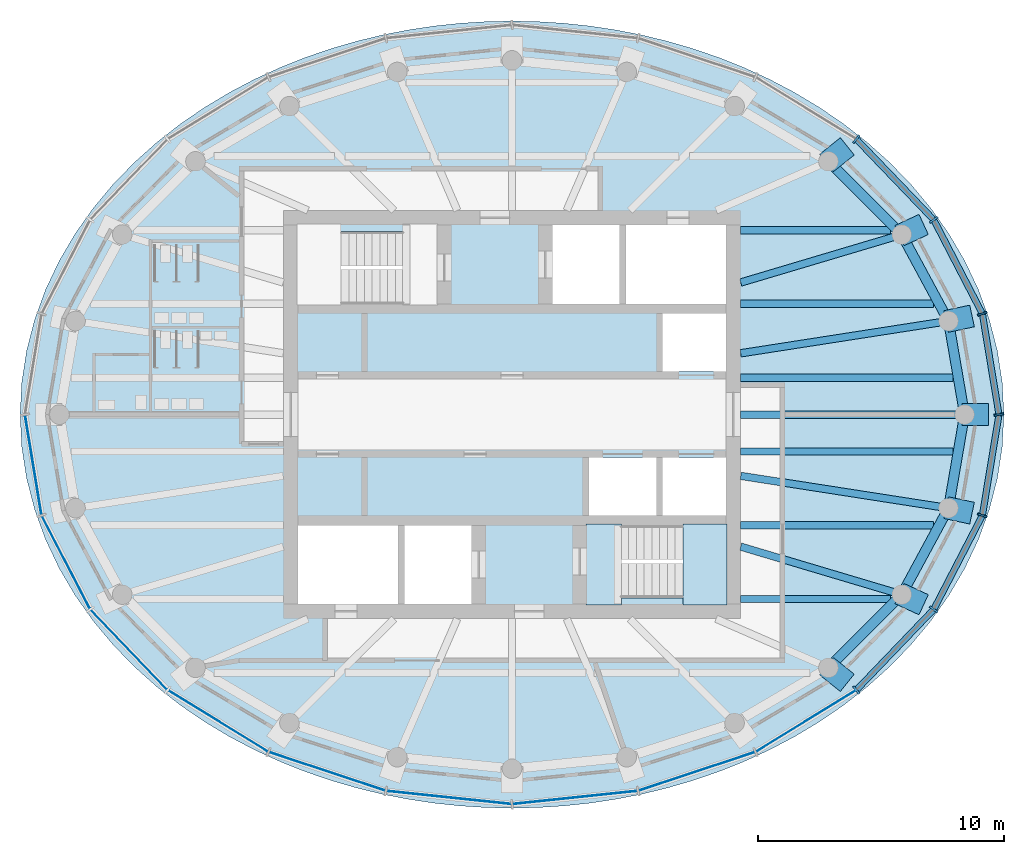
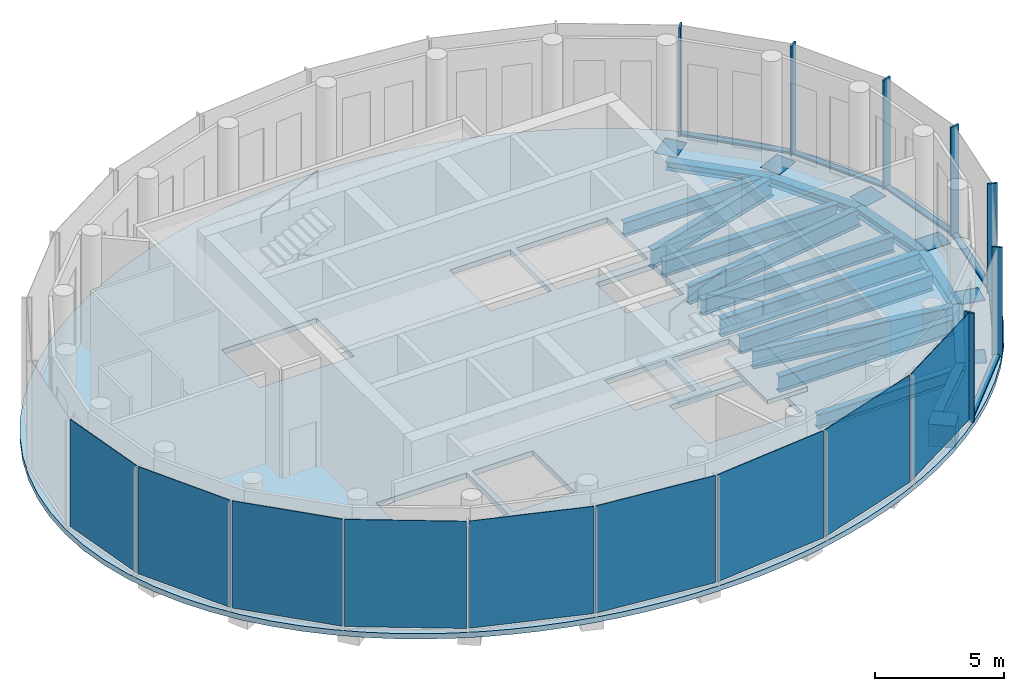
# One storey, part 3 of 11: 24 beams, 13 members, 9 plates, 3 slabs, 4 elements without a shape of their own.
"""IFC4 building model written with IfcOpenShell, lengths in metres."""

from ifc_helpers import new_model, si_unit, direction, frame, origin, origin_2d, place, context, subcontext, project, spatial, polyline, rectangle, i_section, outline, extrude, material, layer, layer_set, material_profile, profile_set, type_object, element, aggregate, save


model = new_model("IFC4")

# Units and contexts
model_context = context("Model", 3, precision=1e-05, world=origin(), true_north=direction((0.0, 1.0)))
body_context = subcontext(model_context, "Body", "Model", "MODEL_VIEW")
ifc_project = project(units=[si_unit("LENGTHUNIT", "METRE"), si_unit("AREAUNIT", "SQUARE_METRE"), si_unit("VOLUMEUNIT", "CUBIC_METRE"), si_unit("PLANEANGLEUNIT", "RADIAN"), si_unit("MASSUNIT", "GRAM", prefix="KILO")], contexts=[model_context])

# Site, building, storey
site_placement = place(None, origin())
site = spatial("IfcSite", under=ifc_project, at=site_placement, CompositionType="ELEMENT")
building_placement = place(site_placement, origin())
building = spatial("IfcBuilding", under=site, at=building_placement, Name="Hankou Lantern Tower", CompositionType="ELEMENT")
storey_placement = place(building_placement, frame((0.0, 0.0, 237.300048828125)))
storey = spatial("IfcBuildingStorey", under=building, at=storey_placement, Name="L64", CompositionType="ELEMENT", Elevation=237.300048828125)

# Beams
ifc_material_1 = material(Name="Steel Q355B", Category="steel")
ifc_material_profile_1 = material_profile(ifc_material_1, i_section(OverallWidth=0.39990234375, OverallDepth=0.39990234375, WebThickness=0.012939453125, FlangeThickness=0.02099609375, FilletRadius=0.02197265625, at=origin_2d()), Name="HW400x400x13x21")
ifc_profile_set_1 = profile_set([ifc_material_profile_1], Name="Steel Q355B")
beam_type_1 = type_object("IfcBeamType", Name="EB19 RING BEAM HW400x400x13x21", PredefinedType="SPANDREL", material=ifc_profile_set_1)
beam_1_placement = place(storey_placement, frame((18.39990234375, 0.0, -0.449951171875), z_axis=(-0.169320180804, 0.98556109723, 0.0), x_axis=(-0.98556109723, -0.169320180804, 0.0)))
element("IfcBeam", 1, at=beam_1_placement, inside=storey, type_object=beam_type_1, Name="Ring beam R01-R02 L64", PredefinedType="SPANDREL", context=body_context, shape_type="SweptSolid", body=[
    extrude(i_section(OverallWidth=0.39990234375, OverallDepth=0.39990234375, WebThickness=0.012939453125, FlangeThickness=0.02099609375, FilletRadius=0.02197265625, at=origin_2d()), origin(), (0.0, 0.0, 1.0), 3.85986328125),
])
beam_2_placement = place(storey_placement, frame((17.746337890625, 3.80419921875, -0.449951171875), z_axis=(-0.475556651725, 0.879685097634, 0.0), x_axis=(-0.879685097634, -0.475556651725, 0.0)))
element("IfcBeam", 2, at=beam_2_placement, inside=storey, type_object=beam_type_1, Name="Ring beam R02-R03 L64", PredefinedType="SPANDREL", context=body_context, shape_type="SweptSolid", body=[
    extrude(i_section(OverallWidth=0.39990234375, OverallDepth=0.39990234375, WebThickness=0.012939453125, FlangeThickness=0.02099609375, FilletRadius=0.02197265625, at=origin_2d()), origin(), (0.0, 0.0, 1.0), 3.99560546875),
])
for number, where, z_axis, x_axis, name in (
    (3, (15.84619140625, 7.319091796875, -0.449951171875), (-0.707657475865, 0.706555657293, 0.0), (-0.706555657293, -0.707657475865, 0.0), "Ring beam R03-R04 L64"),
    (4, (12.866943359375, -10.293701171875, -0.449951171875), (0.707657475865, 0.706555657293, 0.0), (-0.706555657293, 0.707657475865, 0.0), "Ring beam R22-R23 L64"),
):
    element("IfcBeam", number, at=place(storey_placement, frame(where, z_axis=z_axis, x_axis=x_axis)), inside=storey, type_object=beam_type_1, Name=name, PredefinedType="SPANDREL", context=body_context, shape_type="SweptSolid", body=[
        extrude(i_section(OverallWidth=0.39990234375, OverallDepth=0.39990234375, WebThickness=0.012939453125, FlangeThickness=0.02099609375, FilletRadius=0.02197265625, at=origin_2d()), origin(), (0.0, 0.0, 1.0), 4.2099609375),
    ])
beam_3_placement = place(storey_placement, frame((15.84619140625, -7.319091796875, -0.449951171875), z_axis=(0.475556651725, 0.879685097634, 0.0), x_axis=(-0.879685097634, 0.475556651725, 0.0)))
element("IfcBeam", 5, at=beam_3_placement, inside=storey, type_object=beam_type_1, Name="Ring beam R23-R24 L64", PredefinedType="SPANDREL", context=body_context, shape_type="SweptSolid", body=[
    extrude(i_section(OverallWidth=0.39990234375, OverallDepth=0.39990234375, WebThickness=0.012939453125, FlangeThickness=0.02099609375, FilletRadius=0.02197265625, at=origin_2d()), origin(), (0.0, 0.0, 1.0), 3.99560546875),
])
beam_4_placement = place(storey_placement, frame((17.746337890625, -3.80419921875, -0.449951171875), z_axis=(0.169320180804, 0.98556109723, 0.0), x_axis=(-0.98556109723, 0.169320180804, 0.0)))
element("IfcBeam", 6, at=beam_4_placement, inside=storey, type_object=beam_type_1, Name="Ring beam R24-R01 L64", PredefinedType="SPANDREL", context=body_context, shape_type="SweptSolid", body=[
    extrude(i_section(OverallWidth=0.39990234375, OverallDepth=0.39990234375, WebThickness=0.012939453125, FlangeThickness=0.02099609375, FilletRadius=0.02197265625, at=origin_2d()), origin(), (0.0, 0.0, 1.0), 3.85986328125),
])

# Curtain wall, members
ifc_material_2 = material(Name="Glass, dark grey tinted laminated", Category="glass")
curtain_wall_type = type_object("IfcCurtainWallType", Name="CWE OUTER SKIN CROWN", PredefinedType="USERDEFINED", material=ifc_material_2)
curtain_wall_1_placement = place(storey_placement, origin())
curtain_wall_1 = element("IfcCurtainWall", 7, at=curtain_wall_1_placement, inside=storey, type_object=curtain_wall_type, Name="CWE L64 OS1", ObjectType="OUTER SKIN CROWN", PredefinedType="USERDEFINED")
ifc_material_3 = material(Name="Aluminium, black anodised", Category="aluminium")
ifc_material_profile_2 = material_profile(ifc_material_3, rectangle(XDim=0.080078125, YDim=0.39990234375, at=origin_2d()), Name="MU3 80X400")
ifc_profile_set_2 = profile_set([ifc_material_profile_2], Name="Aluminium, black anodised")
member_type_1 = type_object("IfcMemberType", Name="MU3 OUTER SKIN TALL MULLION 80X400", PredefinedType="MULLION", material=ifc_profile_set_2)
member_1_placement = place(storey_placement, frame((19.800048828125, 0.0, 0.0), z_axis=(0.0, 0.0, 1.0), x_axis=(-0.162381515188, 0.986728049427, 0.0)))
member_1 = element("IfcMember", 8, at=member_1_placement, type_object=member_type_1, Name="CWE mullion 1", PredefinedType="MULLION", context=body_context, shape_type="SweptSolid", body=[
    extrude(rectangle(XDim=0.080078125, YDim=0.39990234375, at=origin_2d()), origin(), (0.0, 0.0, 1.0), 5.14990234375),
])
member_2_placement = place(storey_placement, frame((19.125244140625, 4.099609375, 0.0), z_axis=(0.0, 0.0, 1.0), x_axis=(-0.317595577365, 0.94822626479, 0.0)))
member_2 = element("IfcMember", 9, at=member_2_placement, type_object=member_type_1, Name="CWE mullion 2", PredefinedType="MULLION", context=body_context, shape_type="SweptSolid", body=[
    extrude(rectangle(XDim=0.080078125, YDim=0.39990234375, at=origin_2d()), origin(), (0.0, 0.0, 1.0), 5.14990234375),
])
member_3_placement = place(storey_placement, frame((17.147216796875, 7.919921875, 0.0), z_axis=(0.0, 0.0, 1.0), x_axis=(-0.585205735974, 0.810884854084, 0.0)))
member_3 = element("IfcMember", 10, at=member_3_placement, type_object=member_type_1, Name="CWE mullion 3", PredefinedType="MULLION", context=body_context, shape_type="SweptSolid", body=[
    extrude(rectangle(XDim=0.080078125, YDim=0.39990234375, at=origin_2d()), origin(), (0.0, 0.0, 1.0), 5.14990234375),
])
member_4_placement = place(storey_placement, frame((14.000732421875, 11.20068359375, 0.0), z_axis=(0.0, 0.0, 1.0), x_axis=(-0.780868809444, 0.624695047553, 0.0)))
member_4 = element("IfcMember", 11, at=member_4_placement, type_object=member_type_1, Name="CWE mullion 4", PredefinedType="MULLION", context=body_context, shape_type="SweptSolid", body=[
    extrude(rectangle(XDim=0.080078125, YDim=0.39990234375, at=origin_2d()), origin(), (0.0, 0.0, 1.0), 5.14990234375),
])

curtain_wall_2_placement = place(storey_placement, origin())
curtain_wall_2 = element("IfcCurtainWall", 12, at=curtain_wall_2_placement, inside=storey, type_object=curtain_wall_type, Name="CWE L64 OS4", ObjectType="OUTER SKIN CROWN", PredefinedType="USERDEFINED")
member_5_placement = place(storey_placement, frame((14.000732421875, -11.20068359375, 0.0), z_axis=(0.0, 0.0, 1.0), x_axis=(0.780868809444, 0.624695047553, 0.0)))
member_5 = element("IfcMember", 13, at=member_5_placement, type_object=member_type_1, Name="CWE mullion 4", PredefinedType="MULLION", context=body_context, shape_type="SweptSolid", body=[
    extrude(rectangle(XDim=0.080078125, YDim=0.39990234375, at=origin_2d()), origin(), (0.0, 0.0, 1.0), 5.14990234375),
])
member_6_placement = place(storey_placement, frame((17.147216796875, -7.919921875, 0.0), z_axis=(0.0, 0.0, 1.0), x_axis=(0.585205735974, 0.810884854084, 0.0)))
member_6 = element("IfcMember", 14, at=member_6_placement, type_object=member_type_1, Name="CWE mullion 5", PredefinedType="MULLION", context=body_context, shape_type="SweptSolid", body=[
    extrude(rectangle(XDim=0.080078125, YDim=0.39990234375, at=origin_2d()), origin(), (0.0, 0.0, 1.0), 5.14990234375),
])
member_7_placement = place(storey_placement, frame((19.125244140625, -4.099609375, 0.0), z_axis=(0.0, 0.0, 1.0), x_axis=(0.317595577365, 0.94822626479, 0.0)))
member_7 = element("IfcMember", 15, at=member_7_placement, type_object=member_type_1, Name="CWE mullion 6", PredefinedType="MULLION", context=body_context, shape_type="SweptSolid", body=[
    extrude(rectangle(XDim=0.080078125, YDim=0.39990234375, at=origin_2d()), origin(), (0.0, 0.0, 1.0), 5.14990234375),
])

# Beams
ifc_material_4 = material(Name="Steel Q355B", Category="steel")
ifc_material_profile_3 = material_profile(ifc_material_4, i_section(OverallWidth=0.300048828125, OverallDepth=0.85009765625, WebThickness=0.01611328125, FlangeThickness=0.027099609375, FilletRadius=0.01806640625, at=origin_2d()), Name="HN850x300x16x27")
ifc_profile_set_3 = profile_set([ifc_material_profile_3], Name="Steel Q355B")
beam_type_2 = type_object("IfcBeamType", Name="RB12 RADIAL BEAM HN850x300x16x27", PredefinedType="BEAM", material=ifc_profile_set_3)
beam_5_placement = place(storey_placement, frame((9.300048828125, 0.0, -0.675048828125), z_axis=(1.0, 0.0, 0.0), x_axis=(0.0, 1.0, 0.0)))
element("IfcBeam", 16, at=beam_5_placement, inside=storey, type_object=beam_type_2, Name="Radial beam R01 L64", PredefinedType="BEAM", context=body_context, shape_type="SweptSolid", body=[
    extrude(i_section(OverallWidth=0.300048828125, OverallDepth=0.85009765625, WebThickness=0.01611328125, FlangeThickness=0.027099609375, FilletRadius=0.01806640625, at=origin_2d()), origin(), (0.0, 0.0, 1.0), 9.099853515625),
])
for number, where, z_axis, x_axis, name in (
    (17, (9.300048828125, 2.491943359375, -0.675048828125), (0.988145083079, 0.153522945472, 0.0), (-0.153522945472, 0.988145083079, 0.0), "Radial beam R02 L64"),
    (18, (9.300048828125, -2.491943359375, -0.675048828125), (0.988145083079, -0.153522945472, 0.0), (0.153522945472, 0.988145083079, 0.0), "Radial beam R24 L64"),
):
    element("IfcBeam", number, at=place(storey_placement, frame(where, z_axis=z_axis, x_axis=x_axis)), inside=storey, type_object=beam_type_2, Name=name, PredefinedType="BEAM", context=body_context, shape_type="SweptSolid", body=[
        extrude(i_section(OverallWidth=0.300048828125, OverallDepth=0.85009765625, WebThickness=0.01611328125, FlangeThickness=0.027099609375, FilletRadius=0.01806640625, at=origin_2d()), origin(), (0.0, 0.0, 1.0), 8.547607421875),
    ])
ifc_material_5 = material(Name="Steel Q355B", Category="steel")
ifc_material_profile_4 = material_profile(ifc_material_5, i_section(OverallWidth=0.300048828125, OverallDepth=0.89990234375, WebThickness=0.01611328125, FlangeThickness=0.028076171875, FilletRadius=0.01806640625, at=origin_2d()), Name="HN900x300x16x28")
ifc_profile_set_4 = profile_set([ifc_material_profile_4], Name="Steel Q355B")
beam_type_3 = type_object("IfcBeamType", Name="RB13 RADIAL BEAM HN900x300x16x28", PredefinedType="BEAM", material=ifc_profile_set_4)
for number, where, z_axis, x_axis, name in (
    (19, (9.300048828125, 5.369384765625, -0.699951171875), (0.958394006021, 0.285448645511, 0.0), (-0.285448645511, 0.958394006021, 0.0), "Radial beam R03 L64"),
    (20, (9.300048828125, -5.369384765625, -0.699951171875), (0.958394006021, -0.285448645511, 0.0), (0.285448645511, 0.958394006021, 0.0), "Radial beam R23 L64"),
):
    element("IfcBeam", number, at=place(storey_placement, frame(where, z_axis=z_axis, x_axis=x_axis)), inside=storey, type_object=beam_type_3, Name=name, PredefinedType="BEAM", context=body_context, shape_type="SweptSolid", body=[
        extrude(i_section(OverallWidth=0.300048828125, OverallDepth=0.89990234375, WebThickness=0.01611328125, FlangeThickness=0.028076171875, FilletRadius=0.01806640625, at=origin_2d()), origin(), (0.0, 0.0, 1.0), 6.830322265625),
    ])
ifc_material_6 = material(Name="Steel Q355B", Category="steel")
ifc_material_profile_5 = material_profile(ifc_material_6, i_section(OverallWidth=0.300048828125, OverallDepth=0.75, WebThickness=0.012939453125, FlangeThickness=0.02392578125, FilletRadius=0.01806640625, at=origin_2d()), Name="HN750x300x13x24")
ifc_profile_set_5 = profile_set([ifc_material_profile_5], Name="Steel Q355B")
beam_type_4 = type_object("IfcBeamType", Name="SB10 SECONDARY BEAM HN750x300x13x24", PredefinedType="JOIST", material=ifc_profile_set_5)
beam_6_placement = place(storey_placement, frame((9.300048828125, -4.5, -0.625), z_axis=(1.0, 0.0, 0.0), x_axis=(0.0, 1.0, 0.0)))
element("IfcBeam", 21, at=beam_6_placement, inside=storey, type_object=beam_type_4, Name="Floor joist J010 L64", PredefinedType="JOIST", context=body_context, shape_type="SweptSolid", body=[
    extrude(i_section(OverallWidth=0.300048828125, OverallDepth=0.75, WebThickness=0.012939453125, FlangeThickness=0.02392578125, FilletRadius=0.01806640625, at=origin_2d()), origin(), (0.0, 0.0, 1.0), 7.8427734375),
])
for number, where, z_axis, x_axis, name in (
    (22, (9.300048828125, -1.5, -0.625), (1.0, 0.0, 0.0), (0.0, 1.0, 0.0), "Floor joist J012 L64"),
    (23, (9.300048828125, 1.5, -0.625), (1.0, 0.0, 0.0), (0.0, 1.0, 0.0), "Floor joist J014 L64"),
):
    element("IfcBeam", number, at=place(storey_placement, frame(where, z_axis=z_axis, x_axis=x_axis)), inside=storey, type_object=beam_type_4, Name=name, PredefinedType="JOIST", context=body_context, shape_type="SweptSolid", body=[
        extrude(i_section(OverallWidth=0.300048828125, OverallDepth=0.75, WebThickness=0.012939453125, FlangeThickness=0.02392578125, FilletRadius=0.01806640625, at=origin_2d()), origin(), (0.0, 0.0, 1.0), 8.639404296875),
    ])
beam_7_placement = place(storey_placement, frame((9.300048828125, 4.5, -0.625), z_axis=(1.0, 0.0, 0.0), x_axis=(0.0, 1.0, 0.0)))
element("IfcBeam", 24, at=beam_7_placement, inside=storey, type_object=beam_type_4, Name="Floor joist J016 L64", PredefinedType="JOIST", context=body_context, shape_type="SweptSolid", body=[
    extrude(i_section(OverallWidth=0.300048828125, OverallDepth=0.75, WebThickness=0.012939453125, FlangeThickness=0.02392578125, FilletRadius=0.01806640625, at=origin_2d()), origin(), (0.0, 0.0, 1.0), 7.8427734375),
])
ifc_material_7 = material(Name="Steel Q355B", Category="steel")
ifc_material_profile_6 = material_profile(ifc_material_7, i_section(OverallWidth=0.300048828125, OverallDepth=0.64990234375, WebThickness=0.010986328125, FlangeThickness=0.01708984375, FilletRadius=0.01806640625, at=origin_2d()), Name="HN650x300x11x17")
ifc_profile_set_6 = profile_set([ifc_material_profile_6], Name="Steel Q355B")
beam_type_5 = type_object("IfcBeamType", Name="SB8 SECONDARY BEAM HN650x300x11x17", PredefinedType="JOIST", material=ifc_profile_set_6)
for number, where, z_axis, x_axis, name in (
    (25, (9.300048828125, -7.5, -0.574951171875), (1.0, 0.0, 0.0), (0.0, 1.0, 0.0), "Floor joist J008 L64"),
    (26, (9.300048828125, 7.5, -0.574951171875), (1.0, 0.0, 0.0), (0.0, 1.0, 0.0), "Floor joist J018 L64"),
):
    element("IfcBeam", number, at=place(storey_placement, frame(where, z_axis=z_axis, x_axis=x_axis)), inside=storey, type_object=beam_type_5, Name=name, PredefinedType="JOIST", context=body_context, shape_type="SweptSolid", body=[
        extrude(i_section(OverallWidth=0.300048828125, OverallDepth=0.64990234375, WebThickness=0.010986328125, FlangeThickness=0.01708984375, FilletRadius=0.01806640625, at=origin_2d()), origin(), (0.0, 0.0, 1.0), 6.081787109375),
    ])
ifc_material_8 = material(Name="Concrete C50", Category="concrete")
ifc_material_profile_7 = material_profile(ifc_material_8, rectangle(XDim=0.89990234375, YDim=1.050048828125, at=origin_2d()), Name="RC 900x1050")
ifc_profile_set_7 = profile_set([ifc_material_profile_7], Name="Concrete C50")
beam_type_6 = type_object("IfcBeamType", Name="TN4 TRANSFER NODE RC 900x1050", PredefinedType="BEAM", material=ifc_profile_set_7)
for number, where, z_axis, x_axis, name in (
    (27, (19.3798828125, 0.0, -0.525146484375), (-1.0, 0.0, 0.0), (0.0, -1.0, 0.0), "Transfer node R01 L64"),
    (28, (18.70458984375, 4.009521484375, -0.525146484375), (-0.977792487553, -0.209575407159, 0.0), (0.209575407159, -0.977792487553, 0.0), "Transfer node R02 L64"),
):
    element("IfcBeam", number, at=place(storey_placement, frame(where, z_axis=z_axis, x_axis=x_axis)), inside=storey, type_object=beam_type_6, Name=name, PredefinedType="BEAM", context=body_context, shape_type="SweptSolid", body=[
        extrude(rectangle(XDim=0.89990234375, YDim=1.050048828125, at=origin_2d()), origin(), (0.0, 0.0, 1.0), 1.079833984375),
    ])
for number, where, z_axis, x_axis, name in (
    (29, (16.73583984375, 7.72998046875, -0.525146484375), (-0.907833635463, -0.419330526341, 0.0), (0.419330526341, -0.907833635463, 0.0), "Transfer node R03 L64"),
    (30, (13.63232421875, 10.90576171875, -0.525146484375), (-0.780979062227, -0.624557206638, 0.0), (0.624557206638, -0.780979062227, 0.0), "Transfer node R04 L64"),
    (31, (13.63232421875, -10.90576171875, -0.525146484375), (-0.780979062227, 0.624557206638, 0.0), (-0.624557206638, -0.780979062227, 0.0), "Transfer node R22 L64"),
    (32, (16.73583984375, -7.72998046875, -0.525146484375), (-0.907833635463, 0.419330526341, 0.0), (-0.419330526341, -0.907833635463, 0.0), "Transfer node R23 L64"),
):
    element("IfcBeam", number, at=place(storey_placement, frame(where, z_axis=z_axis, x_axis=x_axis)), inside=storey, type_object=beam_type_6, Name=name, PredefinedType="BEAM", context=body_context, shape_type="SweptSolid", body=[
        extrude(rectangle(XDim=0.89990234375, YDim=1.050048828125, at=origin_2d()), origin(), (0.0, 0.0, 1.0), 1.080078125),
    ])
beam_8_placement = place(storey_placement, frame((18.70458984375, -4.009521484375, -0.525146484375), z_axis=(-0.977792487553, 0.209575407159, 0.0), x_axis=(-0.209575407159, -0.977792487553, 0.0)))
element("IfcBeam", 33, at=beam_8_placement, inside=storey, type_object=beam_type_6, Name="Transfer node R24 L64", PredefinedType="BEAM", context=body_context, shape_type="SweptSolid", body=[
    extrude(rectangle(XDim=0.89990234375, YDim=1.050048828125, at=origin_2d()), origin(), (0.0, 0.0, 1.0), 1.079833984375),
])

# Member
ifc_material_9 = material(Name="Aluminium, black anodised", Category="aluminium")
ifc_material_profile_8 = material_profile(ifc_material_9, rectangle(XDim=0.25, YDim=0.080078125, at=origin_2d()), Name="TR3 250X80")
ifc_profile_set_8 = profile_set([ifc_material_profile_8], Name="Aluminium, black anodised")
member_type_2 = type_object("IfcMemberType", Name="TR3 OUTER SKIN TALL TRANSOM 250X80", PredefinedType="USERDEFINED", material=ifc_profile_set_8)
member_8_placement = place(storey_placement, frame((19.79345703125, 0.03955078125, 0.0400390625), z_axis=(-0.16236802655, 0.986730269098, 0.0), x_axis=(-0.986730269098, -0.16236802655, 0.0)))
member_8 = element("IfcMember", 34, at=member_8_placement, type_object=member_type_2, Name="CWE transom 1", ObjectType="TRANSOM", PredefinedType="USERDEFINED", context=body_context, shape_type="SweptSolid", body=[
    extrude(rectangle(XDim=0.25, YDim=0.080078125, at=origin_2d()), origin(), (0.0, 0.0, 1.0), 4.07470703125),
])

member_9_placement = place(storey_placement, frame((19.10693359375, 4.13525390625, 0.0400390625), z_axis=(-0.459775263862, 0.888035307148, 0.0), x_axis=(-0.888035307148, -0.459775263862, 0.0)))
member_9 = element("IfcMember", 35, at=member_9_placement, type_object=member_type_2, Name="CWE transom 2", ObjectType="TRANSOM", PredefinedType="USERDEFINED", context=body_context, shape_type="SweptSolid", body=[
    extrude(rectangle(XDim=0.25, YDim=0.080078125, at=origin_2d()), origin(), (0.0, 0.0, 1.0), 4.221923828125),
])

member_10_placement = place(storey_placement, frame((17.11962890625, 7.948974609375, 0.0400390625), z_axis=(-0.692247265369, 0.72166039353, 0.0), x_axis=(-0.72166039353, -0.692247265369, 0.0)))
member_10 = element("IfcMember", 36, at=member_10_placement, type_object=member_type_2, Name="CWE transom 3", ObjectType="TRANSOM", PredefinedType="USERDEFINED", context=body_context, shape_type="SweptSolid", body=[
    extrude(rectangle(XDim=0.25, YDim=0.080078125, at=origin_2d()), origin(), (0.0, 0.0, 1.0), 4.465576171875),
])

aggregate(curtain_wall_1, [member_1, member_2, member_3, member_4, member_8, member_9, member_10])

member_11_placement = place(storey_placement, frame((14.0283203125, -11.171630859375, 0.0400390625), z_axis=(0.692247265369, 0.72166039353, 0.0), x_axis=(-0.72166039353, 0.692247265369, 0.0)))
member_11 = element("IfcMember", 37, at=member_11_placement, type_object=member_type_2, Name="CWE transom 4", ObjectType="TRANSOM", PredefinedType="USERDEFINED", context=body_context, shape_type="SweptSolid", body=[
    extrude(rectangle(XDim=0.25, YDim=0.080078125, at=origin_2d()), origin(), (0.0, 0.0, 1.0), 4.465576171875),
])

member_12_placement = place(storey_placement, frame((17.165771484375, -7.884521484375, 0.0400390625), z_axis=(0.459775263862, 0.888035307148, 0.0), x_axis=(-0.888035307148, 0.459775263862, 0.0)))
member_12 = element("IfcMember", 38, at=member_12_placement, type_object=member_type_2, Name="CWE transom 5", ObjectType="TRANSOM", PredefinedType="USERDEFINED", context=body_context, shape_type="SweptSolid", body=[
    extrude(rectangle(XDim=0.25, YDim=0.080078125, at=origin_2d()), origin(), (0.0, 0.0, 1.0), 4.221923828125),
])

member_13_placement = place(storey_placement, frame((19.1318359375, -4.060302734375, 0.0400390625), z_axis=(0.16236802655, 0.986730269098, 0.0), x_axis=(-0.986730269098, 0.16236802655, 0.0)))
member_13 = element("IfcMember", 39, at=member_13_placement, type_object=member_type_2, Name="CWE transom 6", ObjectType="TRANSOM", PredefinedType="USERDEFINED", context=body_context, shape_type="SweptSolid", body=[
    extrude(rectangle(XDim=0.25, YDim=0.080078125, at=origin_2d()), origin(), (0.0, 0.0, 1.0), 4.07470703125),
])

# Curtain wall, plates
curtain_wall_3_placement = place(storey_placement, origin())
curtain_wall_3 = element("IfcCurtainWall", 40, at=curtain_wall_3_placement, inside=storey, type_object=curtain_wall_type, Name="CWE L64 OS3", ObjectType="OUTER SKIN CROWN", PredefinedType="USERDEFINED")
ifc_material_10 = material(Name="Glass, dark grey tinted laminated", Category="glass")
ifc_layer_1 = layer(ifc_material_10, 0.028076171875)
ifc_layer_set_1 = layer_set([ifc_layer_1], Name="Glass, dark grey tinted laminated")
plate_type = type_object("IfcPlateType", Name="PN3 OUTER SKIN TALL GLASS PANEL", PredefinedType="CURTAIN_PANEL", material=ifc_layer_set_1)
plate_1_placement = place(storey_placement, frame((-19.462646484375, -2.0498046875, 0.080078125), z_axis=(0.0, 0.0, 1.0), x_axis=(0.162381515188, -0.986728049427, 0.0)))
plate_1 = element("IfcPlate", 41, at=plate_1_placement, type_object=plate_type, Name="CWE glass panel 1", PredefinedType="CURTAIN_PANEL", context=body_context, shape_type="SweptSolid", body=[
    extrude(rectangle(XDim=4.074951171875, YDim=0.028076171875, at=origin_2d()), origin(), (0.0, 0.0, 1.0), 5.070068359375),
])
plate_2_placement = place(storey_placement, frame((-18.13623046875, -6.009765625, 0.080078125), z_axis=(0.0, 0.0, 1.0), x_axis=(0.459791091957, -0.888027112062, 0.0)))
plate_2 = element("IfcPlate", 42, at=plate_2_placement, type_object=plate_type, Name="CWE glass panel 2", PredefinedType="CURTAIN_PANEL", context=body_context, shape_type="SweptSolid", body=[
    extrude(rectangle(XDim=4.221923828125, YDim=0.028076171875, at=origin_2d()), origin(), (0.0, 0.0, 1.0), 5.070068359375),
])
plate_3_placement = place(storey_placement, frame((-15.573974609375, -9.560302734375, 0.080078125), z_axis=(0.0, 0.0, 1.0), x_axis=(0.692215809936, -0.721690565599, 0.0)))
plate_3 = element("IfcPlate", 43, at=plate_3_placement, type_object=plate_type, Name="CWE glass panel 3", PredefinedType="CURTAIN_PANEL", context=body_context, shape_type="SweptSolid", body=[
    extrude(rectangle(XDim=4.465576171875, YDim=0.028076171875, at=origin_2d()), origin(), (0.0, 0.0, 1.0), 5.070068359375),
])
plate_4_placement = place(storey_placement, frame((-11.950439453125, -12.459228515625, 0.080078125), z_axis=(0.0, 0.0, 1.0), x_axis=(0.852237151549, -0.523155653242, 0.0)))
plate_4 = element("IfcPlate", 44, at=plate_4_placement, type_object=plate_type, Name="CWE glass panel 4", PredefinedType="CURTAIN_PANEL", context=body_context, shape_type="SweptSolid", body=[
    extrude(rectangle(XDim=4.731689453125, YDim=0.028076171875, at=origin_2d()), origin(), (0.0, 0.0, 1.0), 5.070068359375),
])
plate_5_placement = place(storey_placement, frame((-7.51220703125, -14.509033203125, 0.080078125), z_axis=(0.0, 0.0, 1.0), x_axis=(0.949240677293, -0.31455068999, 0.0)))
plate_5 = element("IfcPlate", 45, at=plate_5_placement, type_object=plate_type, Name="CWE glass panel 5", PredefinedType="CURTAIN_PANEL", context=body_context, shape_type="SweptSolid", body=[
    extrude(rectangle(XDim=4.95068359375, YDim=0.028076171875, at=origin_2d()), origin(), (0.0, 0.0, 1.0), 5.070068359375),
])
plate_6_placement = place(storey_placement, frame((-2.562255859375, -15.570068359375, 0.080078125), z_axis=(0.0, 0.0, 1.0), x_axis=(0.994499359107, -0.104742659579, 0.0)))
plate_6 = element("IfcPlate", 46, at=plate_6_placement, type_object=plate_type, Name="CWE glass panel 6", PredefinedType="CURTAIN_PANEL", context=body_context, shape_type="SweptSolid", body=[
    extrude(rectangle(XDim=5.072998046875, YDim=0.028076171875, at=origin_2d()), origin(), (0.0, 0.0, 1.0), 5.070068359375),
])
aggregate(curtain_wall_3, [plate_1, plate_2, plate_3, plate_4, plate_5, plate_6])

# Plate
plate_7_placement = place(storey_placement, frame((2.562255859375, -15.570068359375, 0.080078125), z_axis=(0.0, 0.0, 1.0), x_axis=(0.994499359107, 0.104742659579, 0.0)))
plate_7 = element("IfcPlate", 47, at=plate_7_placement, type_object=plate_type, Name="CWE glass panel 1", PredefinedType="CURTAIN_PANEL", context=body_context, shape_type="SweptSolid", body=[
    extrude(rectangle(XDim=5.072998046875, YDim=0.028076171875, at=origin_2d()), origin(), (0.0, 0.0, 1.0), 5.070068359375),
])

plate_8_placement = place(storey_placement, frame((7.51220703125, -14.509033203125, 0.080078125), z_axis=(0.0, 0.0, 1.0), x_axis=(0.949240677293, 0.31455068999, 0.0)))
plate_8 = element("IfcPlate", 48, at=plate_8_placement, type_object=plate_type, Name="CWE glass panel 2", PredefinedType="CURTAIN_PANEL", context=body_context, shape_type="SweptSolid", body=[
    extrude(rectangle(XDim=4.95068359375, YDim=0.028076171875, at=origin_2d()), origin(), (0.0, 0.0, 1.0), 5.070068359375),
])

plate_9_placement = place(storey_placement, frame((11.950439453125, -12.459228515625, 0.080078125), z_axis=(0.0, 0.0, 1.0), x_axis=(0.852237151549, 0.523155653242, 0.0)))
plate_9 = element("IfcPlate", 49, at=plate_9_placement, type_object=plate_type, Name="CWE glass panel 3", PredefinedType="CURTAIN_PANEL", context=body_context, shape_type="SweptSolid", body=[
    extrude(rectangle(XDim=4.731689453125, YDim=0.028076171875, at=origin_2d()), origin(), (0.0, 0.0, 1.0), 5.070068359375),
])

aggregate(curtain_wall_2, [member_5, member_6, member_7, plate_7, plate_8, plate_9, member_11, member_12, member_13])

# Slab
ifc_material_11 = material(Name="Concrete C50", Category="concrete")
ifc_layer_2 = layer(ifc_material_11, 0.25)
ifc_layer_set_2 = layer_set([ifc_layer_2], Name="Concrete C50")
slab_type_1 = type_object("IfcSlabType", Name="S2 HEAVY FLOOR SLAB 250", PredefinedType="FLOOR", material=ifc_layer_set_2)
slab_1_placement = place(storey_placement, frame((0.0, 0.0, -0.25)))
element("IfcSlab", 50, at=slab_1_placement, inside=storey, type_object=slab_type_1, Name="Floor slab L64", PredefinedType="FLOOR", context=body_context, shape_type="SweptSolid", body=[
    extrude(outline(polyline([(20.0, 0.0), (19.93310546875, 1.306396484375), (19.734619140625, 2.59814453125), (19.408935546875, 3.860595703125), (18.964599609375, 5.08154296875), (18.4111328125, 6.249755859375), (17.760498046875, 7.356689453125), (17.025146484375, 8.39599609375), (16.2177734375, 9.36328125), (15.35009765625, 10.256591796875), (14.433837890625, 11.075439453125), (13.478759765625, 11.820556640625), (12.493896484375, 12.493896484375), (11.486572265625, 13.097900390625), (10.463134765625, 13.6357421875), (9.428466796875, 14.110595703125), (8.38623046875, 14.525390625), (7.33984375, 14.883544921875), (6.291015625, 15.187744140625), (5.241455078125, 15.440673828125), (4.19189453125, 15.64453125), (3.14306640625, 15.80126953125), (2.094970703125, 15.912109375), (1.04736328125, 15.97802734375), (0.0, 16.0), (-1.04736328125, 15.97802734375), (-2.094970703125, 15.912109375), (-3.14306640625, 15.80126953125), (-4.19189453125, 15.64453125), (-5.241455078125, 15.440673828125), (-6.291015625, 15.187744140625), (-7.33984375, 14.883544921875), (-8.38623046875, 14.525390625), (-9.428466796875, 14.110595703125), (-10.463134765625, 13.6357421875), (-11.486572265625, 13.097900390625), (-12.493896484375, 12.493896484375), (-13.478759765625, 11.820556640625), (-14.433837890625, 11.075439453125), (-15.35009765625, 10.256591796875), (-16.2177734375, 9.36328125), (-17.025146484375, 8.39599609375), (-17.760498046875, 7.356689453125), (-18.4111328125, 6.249755859375), (-18.964599609375, 5.08154296875), (-19.408935546875, 3.860595703125), (-19.734619140625, 2.59814453125), (-19.93310546875, 1.306396484375), (-20.0, 0.0), (-19.93310546875, -1.306396484375), (-19.734619140625, -2.59814453125), (-19.408935546875, -3.860595703125), (-18.964599609375, -5.08154296875), (-18.4111328125, -6.249755859375), (-17.760498046875, -7.356689453125), (-17.025146484375, -8.39599609375), (-16.2177734375, -9.36328125), (-15.35009765625, -10.256591796875), (-14.433837890625, -11.075439453125), (-13.478759765625, -11.820556640625), (-12.493896484375, -12.493896484375), (-11.486572265625, -13.097900390625), (-10.463134765625, -13.6357421875), (-9.428466796875, -14.110595703125), (-8.38623046875, -14.525390625), (-7.33984375, -14.883544921875), (-6.291015625, -15.187744140625), (-5.241455078125, -15.440673828125), (-4.19189453125, -15.64453125), (-3.14306640625, -15.80126953125), (-2.094970703125, -15.912109375), (-1.04736328125, -15.97802734375), (0.0, -16.0), (1.04736328125, -15.97802734375), (2.094970703125, -15.912109375), (3.14306640625, -15.80126953125), (4.19189453125, -15.64453125), (5.241455078125, -15.440673828125), (6.291015625, -15.187744140625), (7.33984375, -14.883544921875), (8.38623046875, -14.525390625), (9.428466796875, -14.110595703125), (10.463134765625, -13.6357421875), (11.486572265625, -13.097900390625), (12.493896484375, -12.493896484375), (13.478759765625, -11.820556640625), (14.433837890625, -11.075439453125), (15.35009765625, -10.256591796875), (16.2177734375, -9.36328125), (17.025146484375, -8.39599609375), (17.760498046875, -7.356689453125), (18.4111328125, -6.249755859375), (18.964599609375, -5.08154296875), (19.408935546875, -3.860595703125), (19.734619140625, -2.59814453125), (19.93310546875, -1.306396484375), (20.0, 0.0)]), holes=[polyline([(6.125, 4.10009765625), (8.699951171875, 4.10009765625), (8.699951171875, 1.75), (6.125, 1.75), (6.125, 4.10009765625)]), polyline([(3.125, -1.75), (5.875, -1.75), (5.875, -4.10009765625), (3.125, -4.10009765625), (3.125, -1.75)]), polyline([(6.125, -1.75), (8.699951171875, -1.75), (8.699951171875, -4.10009765625), (6.125, -4.10009765625), (6.125, -1.75)]), polyline([(1.64990234375, 7.699951171875), (4.375, 7.699951171875), (4.375, 4.5), (1.64990234375, 4.5), (1.64990234375, 7.699951171875)]), polyline([(-4.375, -4.5), (-1.64990234375, -4.5), (-1.64990234375, -7.699951171875), (-4.375, -7.699951171875), (-4.375, -4.5)]), polyline([(-8.699951171875, 7.449951171875), (-4.449951171875, 7.449951171875), (-4.449951171875, 4.5), (-8.699951171875, 4.5), (-8.699951171875, 7.449951171875)]), polyline([(4.449951171875, -4.5), (8.699951171875, -4.5), (8.699951171875, -7.449951171875), (4.449951171875, -7.449951171875), (4.449951171875, -4.5)]), polyline([(4.625, 7.699951171875), (8.699951171875, 7.699951171875), (8.699951171875, 4.5), (4.625, 4.5), (4.625, 7.699951171875)]), polyline([(-8.699951171875, -4.5), (-4.625, -4.5), (-4.625, -7.699951171875), (-8.699951171875, -7.699951171875), (-8.699951171875, -4.5)])]), origin(), (0.0, 0.0, 1.0), 0.25),
])

# Stair, slabs
ifc_material_12 = material(Name="Concrete C40", Category="concrete")
stair_type = type_object("IfcStairType", Name="ST54 CORE STAIR 5400 RISE", PredefinedType="HALF_TURN_STAIR", material=ifc_material_12)
stair_placement = place(storey_placement, origin())
stair = element("IfcStair", 51, at=stair_placement, inside=storey, type_object=stair_type, Name="Stair STB L64", PredefinedType="HALF_TURN_STAIR")
ifc_material_13 = material(Name="Concrete C40", Category="concrete")
ifc_layer_3 = layer(ifc_material_13, 0.199951171875)
ifc_layer_set_3 = layer_set([ifc_layer_3], Name="Concrete C40")
slab_type_2 = type_object("IfcSlabType", Name="SL1 STAIR LANDING 200", PredefinedType="LANDING", material=ifc_layer_set_3)
slab_2_placement = place(storey_placement, frame((0.0, 0.0, 1.14990234375)))
slab_2 = element("IfcSlab", 52, at=slab_2_placement, type_object=slab_type_2, Name="STB landing 1", PredefinedType="LANDING", context=body_context, shape_type="SweptSolid", body=[
    extrude(outline(polyline([(8.75, -4.449951171875), (6.949951171875, -4.449951171875), (6.949951171875, -7.75), (8.75, -7.75), (8.75, -4.449951171875)])), origin(), (0.0, 0.0, 1.0), 0.199951171875),
])
slab_3_placement = place(storey_placement, frame((0.0, 0.0, 2.5)))
slab_3 = element("IfcSlab", 53, at=slab_3_placement, type_object=slab_type_2, Name="STB landing 2", PredefinedType="LANDING", context=body_context, shape_type="SweptSolid", body=[
    extrude(outline(polyline([(4.449951171875, -4.449951171875), (3.0, -4.449951171875), (3.0, -7.75), (4.449951171875, -7.75), (4.449951171875, -4.449951171875)])), origin(), (0.0, 0.0, 1.0), 0.199951171875),
])
aggregate(stair, [slab_2, slab_3])

save(model, "model.ifc")
